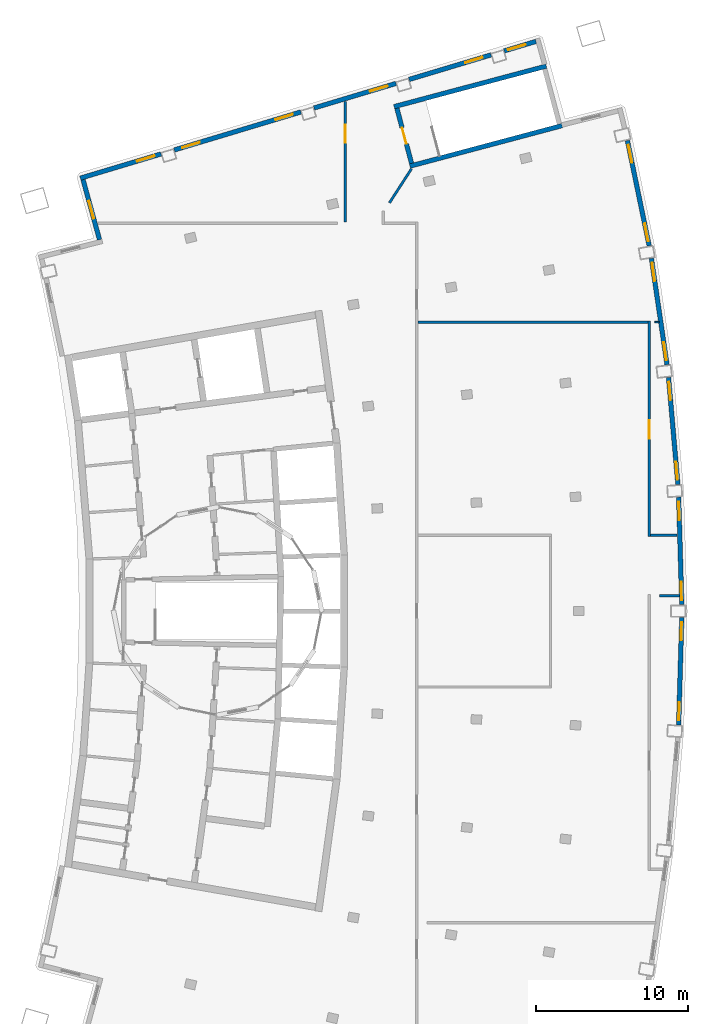
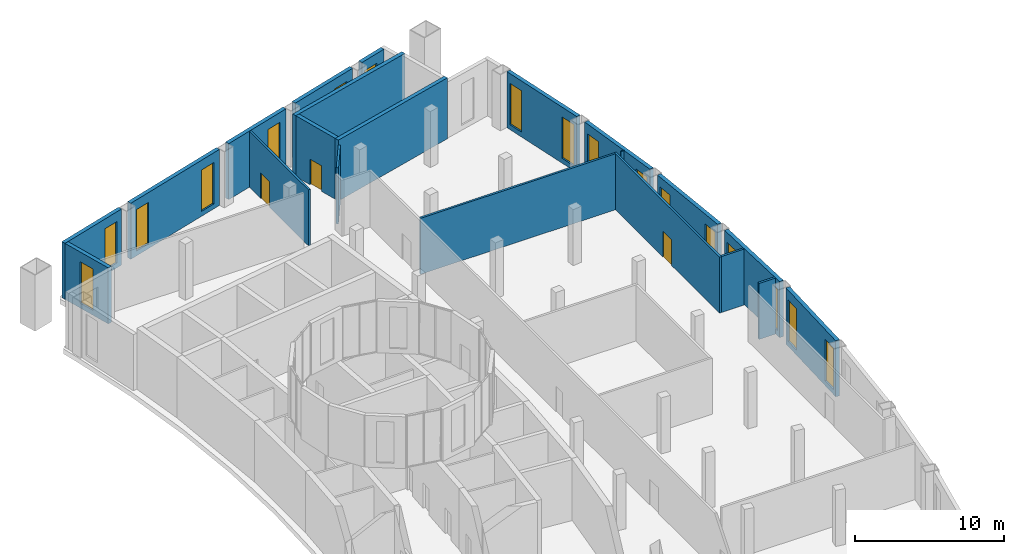
# One storey, part 7 of 9: 21 walls, 17 windows, 3 doors, 20 openings.
"""IFC4 building model written with IfcOpenShell, lengths in metres."""

from ifc_helpers import new_model, si_unit, direction, frame, frame_2d, origin, place, context, subcontext, project, spatial, rectangle, extrude, material, layer, layer_set, type_object, element, fill, save


model = new_model("IFC4")

# Units and contexts
model_context = context("Model", 3, precision=1e-05, world=origin(), true_north=direction((0.0, 1.0)))
body_context = subcontext(model_context, "Body", "Model", "MODEL_VIEW")
ifc_project = project(units=[si_unit("LENGTHUNIT", "METRE"), si_unit("AREAUNIT", "SQUARE_METRE"), si_unit("VOLUMEUNIT", "CUBIC_METRE"), si_unit("PLANEANGLEUNIT", "RADIAN"), si_unit("MASSUNIT", "GRAM", prefix="KILO")], contexts=[model_context])

# Site, building, storey
site_placement = place(None, origin())
site = spatial("IfcSite", under=ifc_project, at=site_placement, CompositionType="ELEMENT")
building_placement = place(site_placement, origin())
building = spatial("IfcBuilding", under=site, at=building_placement, Name="Alderwake Tower", CompositionType="ELEMENT")
storey_placement = place(building_placement, frame((0.0, 0.0, 310.0)))
storey = spatial("IfcBuildingStorey", under=building, at=storey_placement, Name="L75", CompositionType="ELEMENT", Elevation=310.0)

# Walls
ifc_material_1 = material(Name="Concrete C70/85", Category="concrete")
ifc_layer_1 = layer(ifc_material_1, 0.300048828125)
ifc_layer_set_1 = layer_set([ifc_layer_1], Name="Core wall stair enclosure 300 C70-85")
wall_type_1 = type_object("IfcWallType", Name="Core wall stair enclosure 300 C70-85", PredefinedType="SHEAR", material=ifc_layer_set_1)
for number, where, z_axis, x_axis, name in (
    (1, (36.71142578125, 94.182373046875, 0.0), (0.0, 0.0, 1.0), (0.966309214305, 0.257383958996, 0.0), "Core wall CW.082"),
    (2, (37.75390625, 90.268798828125, 0.0), (0.0, 0.0, 1.0), (0.966309214305, 0.257383958996, 0.0), "Core wall CW.084"),
):
    element("IfcWall", number, at=place(storey_placement, frame(where, z_axis=z_axis, x_axis=x_axis)), inside=storey, type_object=wall_type_1, Name=name, PredefinedType="SHEAR", context=body_context, shape_type="SweptSolid", body=[
        extrude(rectangle(XDim=10.360107421875, YDim=0.300048828125, at=frame_2d((5.18017578125, 0.0))), origin(), (0.0, 0.0, 1.0), 5.0),
    ])

# Wall, opening, door
wall_1_placement = place(storey_placement, frame((37.8603515625, 90.452392578125, 0.0), z_axis=(0.0, 0.0, 1.0), x_axis=(-0.257411420208, 0.966301899381, 0.0)))
wall_1 = element("IfcWall", 3, at=wall_1_placement, inside=storey, type_object=wall_type_1, Name="Core wall CW.083", PredefinedType="SHEAR", context=body_context, shape_type="SweptSolid", body=[
    extrude(rectangle(XDim=3.750244140625, YDim=0.300048828125, at=frame_2d((1.875, 0.0))), origin(), (0.0, 0.0, 1.0), 5.0),
])
opening_1_placement = place(wall_1_placement, frame((1.324951171875, 0.0, 0.0)))
opening_1 = element("IfcOpeningElement", 4, at=opening_1_placement, cuts=wall_1, Name="Opening C062", PredefinedType="OPENING", context=body_context, shape_type="SweptSolid", body=[
    extrude(rectangle(XDim=1.10009765625, YDim=2.10009765625, at=frame_2d((0.550048828125, 1.050048828125))), frame((0.0, 0.159912109375, 0.0), z_axis=(0.0, -1.0, 0.0), x_axis=(1.0, 0.0, 0.0)), (0.0, 0.0, 1.0), 0.320068359375),
])
ifc_material_2 = material(Name="Steel-framed fire door leaf", Category="steel")
door_type_1 = type_object("IfcDoorType", Name="Core stair door 1100 fire-rated", OperationType="SINGLE_SWING_LEFT", PredefinedType="DOOR", material=ifc_material_2)
door_1_placement = place(opening_1_placement, origin())
door_1 = element("IfcDoor", 5, at=door_1_placement, inside=storey, type_object=door_type_1, Name="Stair door", OperationType="SINGLE_SWING_RIGHT", OverallHeight=2.10009765625, OverallWidth=1.10009765625, PredefinedType="DOOR", context=body_context, shape_type="SweptSolid", body=[
    extrude(rectangle(XDim=1.10009765625, YDim=2.10009765625, at=frame_2d((0.550048828125, 1.050048828125))), frame((0.0, 0.02490234375, 0.0), z_axis=(0.0, -1.0, 0.0), x_axis=(1.0, 0.0, 0.0)), (0.0, 0.0, 1.0), 0.050048828125),
])
fill(opening_1, door_1)

ifc_material_3 = material(Name="Gypsum board on metal studs, rated")
ifc_layer_2 = layer(ifc_material_3, 0.159912109375)
ifc_layer_set_2 = layer_set([ifc_layer_2], Name="Corridor wall 160")
wall_type_2 = type_object("IfcWallType", Name="Corridor wall 160", PredefinedType="PARTITIONING", material=ifc_layer_set_2)
wall_2_placement = place(storey_placement, frame((33.5009765625, 94.533935546875, 0.0), z_axis=(0.0, 0.0, 1.0), x_axis=(0.0, -1.0, 0.0)))
wall_2 = element("IfcWall", 6, at=wall_2_placement, inside=storey, type_object=wall_type_2, Name="WL/L75/W03", PredefinedType="PARTITIONING", context=body_context, shape_type="SweptSolid", body=[
    extrude(rectangle(XDim=7.954833984375, YDim=0.159912109375, at=frame_2d((3.9775390625, 0.0))), origin(), (0.0, 0.0, 1.0), 4.60009765625),
])
opening_2_placement = place(wall_2_placement, frame((1.530029296875, 0.0, 0.0)))
opening_2 = element("IfcOpeningElement", 7, at=opening_2_placement, cuts=wall_2, Name="Opening L75-02", PredefinedType="OPENING", context=body_context, shape_type="SweptSolid", body=[
    extrude(rectangle(XDim=1.199951171875, YDim=2.10009765625, at=frame_2d((0.60009765625, 1.050048828125))), frame((0.0, 0.08984375, 0.0), z_axis=(0.0, -1.0, 0.0), x_axis=(1.0, 0.0, 0.0)), (0.0, 0.0, 1.0), 0.179931640625),
])
ifc_material_4 = material(Name="Steel door leaf in steel frame", Category="steel")
door_type_2 = type_object("IfcDoorType", Name="Plant room door 1200 steel", OperationType="SINGLE_SWING_LEFT", PredefinedType="DOOR", material=ifc_material_4)
door_2_placement = place(opening_2_placement, origin())
door_2 = element("IfcDoor", 8, at=door_2_placement, inside=storey, type_object=door_type_2, Name="DR/L75/02", OperationType="SINGLE_SWING_LEFT", OverallHeight=2.10009765625, OverallWidth=1.199951171875, PredefinedType="DOOR", context=body_context, shape_type="SweptSolid", body=[
    extrude(rectangle(XDim=1.199951171875, YDim=2.10009765625, at=frame_2d((0.60009765625, 1.050048828125))), frame((0.0, 0.02490234375, 0.0), z_axis=(0.0, -1.0, 0.0), x_axis=(1.0, 0.0, 0.0)), (0.0, 0.0, 1.0), 0.050048828125),
])
fill(opening_2, door_2)

# Walls
wall_3_placement = place(storey_placement, frame((36.406005859375, 87.85546875, 0.0), z_axis=(0.0, 0.0, 1.0), x_axis=(0.543072584568, 0.839685755441, 0.0)))
element("IfcWall", 9, at=wall_3_placement, inside=storey, type_object=wall_type_2, Name="WL/L75/W05", PredefinedType="PARTITIONING", context=body_context, shape_type="SweptSolid", body=[
    extrude(rectangle(XDim=2.66259765625, YDim=0.159912109375, at=frame_2d((1.331298828125, 0.0))), origin(), (0.0, 0.0, 1.0), 4.60009765625),
])
wall_4_placement = place(storey_placement, frame((54.178955078125, 62.0009765625, 0.0), z_axis=(0.0, 0.0, 1.0), x_axis=(1.0, 0.0, 0.0)))
element("IfcWall", 10, at=wall_4_placement, inside=storey, type_object=wall_type_2, Name="WL/L75/W16", PredefinedType="PARTITIONING", context=body_context, shape_type="SweptSolid", body=[
    extrude(rectangle(XDim=1.304931640625, YDim=0.159912109375, at=frame_2d((0.65234375, 0.0))), origin(), (0.0, 0.0, 1.0), 4.60009765625),
])

# Wall, opening, door
wall_5_placement = place(storey_placement, frame((53.4990234375, 65.919921875, 0.0), z_axis=(0.0, 0.0, 1.0), x_axis=(0.0, 1.0, 0.0)))
wall_5 = element("IfcWall", 11, at=wall_5_placement, inside=storey, type_object=wall_type_2, Name="WL/L75/W17", PredefinedType="PARTITIONING", context=body_context, shape_type="SweptSolid", body=[
    extrude(rectangle(XDim=14.1611328125, YDim=0.159912109375, at=frame_2d((7.08056640625, 0.0))), origin(), (0.0, 0.0, 1.0), 4.60009765625),
])
opening_3_placement = place(wall_5_placement, frame((6.429931640625, 0.0, 0.0)))
opening_3 = element("IfcOpeningElement", 12, at=opening_3_placement, cuts=wall_5, Name="Opening L75-06", PredefinedType="OPENING", context=body_context, shape_type="SweptSolid", body=[
    extrude(rectangle(XDim=1.199951171875, YDim=2.10009765625, at=frame_2d((0.60009765625, 1.050048828125))), frame((0.0, 0.08984375, 0.0), z_axis=(0.0, -1.0, 0.0), x_axis=(1.0, 0.0, 0.0)), (0.0, 0.0, 1.0), 0.179931640625),
])
door_3_placement = place(opening_3_placement, origin())
door_3 = element("IfcDoor", 13, at=door_3_placement, inside=storey, type_object=door_type_2, Name="DR/L75/06", OperationType="SINGLE_SWING_LEFT", OverallHeight=2.10009765625, OverallWidth=1.199951171875, PredefinedType="DOOR", context=body_context, shape_type="SweptSolid", body=[
    extrude(rectangle(XDim=1.199951171875, YDim=2.10009765625, at=frame_2d((0.60009765625, 1.050048828125))), frame((0.0, 0.02490234375, 0.0), z_axis=(0.0, -1.0, 0.0), x_axis=(1.0, 0.0, 0.0)), (0.0, 0.0, 1.0), 0.050048828125),
])
fill(opening_3, door_3)

# Walls
wall_6_placement = place(storey_placement, frame((53.4189453125, 80.0009765625, 0.0), z_axis=(0.0, 0.0, 1.0), x_axis=(-1.0, 0.0, 0.0)))
element("IfcWall", 14, at=wall_6_placement, inside=storey, type_object=wall_type_2, Name="WL/L75/W18", PredefinedType="PARTITIONING", context=body_context, shape_type="SweptSolid", body=[
    extrude(rectangle(XDim=15.139892578125, YDim=0.159912109375, at=frame_2d((7.56982421875, 0.0))), origin(), (0.0, 0.0, 1.0), 4.60009765625),
])
wall_7_placement = place(storey_placement, frame((55.323974609375, 66.0, 0.0), z_axis=(0.0, 0.0, 1.0), x_axis=(-1.0, 0.0, 0.0)))
element("IfcWall", 15, at=wall_7_placement, inside=storey, type_object=wall_type_2, Name="WL/L75/W21", PredefinedType="PARTITIONING", context=body_context, shape_type="SweptSolid", body=[
    extrude(rectangle(XDim=1.744873046875, YDim=0.159912109375, at=frame_2d((0.87255859375, 0.0))), origin(), (0.0, 0.0, 1.0), 4.60009765625),
])

# Wall, openings, windows
ifc_material_5 = material(Name="Bronze metal cladding on lightweight framing")
ifc_layer_3 = layer(ifc_material_5, 0.300048828125)
ifc_layer_set_3 = layer_set([ifc_layer_3], Name="External wall EW3 plant enclosure")
wall_type_3 = type_object("IfcWallType", Name="External wall EW3 plant enclosure", PredefinedType="SOLIDWALL", material=ifc_layer_set_3)
wall_8_placement = place(storey_placement, frame((55.431640625, 53.512939453125, 0.0), z_axis=(0.0, 0.0, 1.0), x_axis=(0.029150386351, 0.999575037191, 0.0)))
wall_8 = element("IfcWall", 16, at=wall_8_placement, inside=storey, type_object=wall_type_3, Name="External wall 29", PredefinedType="SOLIDWALL", context=body_context, shape_type="SweptSolid", body=[
    extrude(rectangle(XDim=7.068603515625, YDim=0.300048828125, at=frame_2d((3.5341796875, 0.0))), origin(), (0.0, 0.0, 1.0), 4.60009765625),
])
opening_4_placement = place(wall_8_placement, frame((0.3017578125, 0.0, 0.39990234375)))
opening_4 = element("IfcOpeningElement", 17, at=opening_4_placement, cuts=wall_8, Name="Opening LV2", PredefinedType="OPENING", context=body_context, shape_type="SweptSolid", body=[
    extrude(rectangle(XDim=1.199951171875, YDim=3.39990234375, at=frame_2d((0.60009765625, 1.699951171875))), frame((0.0, 0.159912109375, 0.0), z_axis=(0.0, -1.0, 0.0), x_axis=(1.0, 0.0, 0.0)), (0.0, 0.0, 1.0), 0.320068359375),
])
opening_5_placement = place(wall_8_placement, frame((5.566650390625, 0.0, 0.39990234375)))
opening_5 = element("IfcOpeningElement", 18, at=opening_5_placement, cuts=wall_8, Name="Opening LV2", PredefinedType="OPENING", context=body_context, shape_type="SweptSolid", body=[
    extrude(rectangle(XDim=1.199951171875, YDim=3.39990234375, at=frame_2d((0.60009765625, 1.699951171875))), frame((0.0, 0.159912109375, 0.0), z_axis=(0.0, -1.0, 0.0), x_axis=(1.0, 0.0, 0.0)), (0.0, 0.0, 1.0), 0.320068359375),
])
ifc_material_6 = material(Name="Bronze anodised aluminium louvre", Category="aluminium")
window_type = type_object("IfcWindowType", Name="Louvre LV2 crown drum", PartitioningType="SINGLE_PANEL", PredefinedType="USERDEFINED", material=ifc_material_6)
window_1_placement = place(opening_4_placement, origin())
window_1 = element("IfcWindow", 19, at=window_1_placement, inside=storey, type_object=window_type, Name="Louvre LV2 crown drum", ObjectType="LOUVRE", OverallHeight=3.39990234375, OverallWidth=1.199951171875, PartitioningType="SINGLE_PANEL", PredefinedType="USERDEFINED", context=body_context, shape_type="SweptSolid", body=[
    extrude(rectangle(XDim=1.199951171875, YDim=3.39990234375, at=frame_2d((0.60009765625, 1.699951171875))), frame((0.0, 0.030029296875, 0.0), z_axis=(0.0, -1.0, 0.0), x_axis=(1.0, 0.0, 0.0)), (0.0, 0.0, 1.0), 0.06005859375),
])
fill(opening_4, window_1)
window_2_placement = place(opening_5_placement, origin())
window_2 = element("IfcWindow", 20, at=window_2_placement, inside=storey, type_object=window_type, Name="Louvre LV2 crown drum", ObjectType="LOUVRE", OverallHeight=3.39990234375, OverallWidth=1.199951171875, PartitioningType="SINGLE_PANEL", PredefinedType="USERDEFINED", context=body_context, shape_type="SweptSolid", body=[
    extrude(rectangle(XDim=1.199951171875, YDim=3.39990234375, at=frame_2d((0.60009765625, 1.699951171875))), frame((0.0, 0.030029296875, 0.0), z_axis=(0.0, -1.0, 0.0), x_axis=(1.0, 0.0, 0.0)), (0.0, 0.0, 1.0), 0.06005859375),
])
fill(opening_5, window_2)

wall_9_placement = place(storey_placement, frame((55.6376953125, 61.42138671875, 0.0), z_axis=(0.0, 0.0, 1.0), x_axis=(-0.029150386351, 0.999575037191, 0.0)))
wall_9 = element("IfcWall", 21, at=wall_9_placement, inside=storey, type_object=wall_type_3, Name="External wall 31", PredefinedType="SOLIDWALL", context=body_context, shape_type="SweptSolid", body=[
    extrude(rectangle(XDim=7.068603515625, YDim=0.300048828125, at=frame_2d((3.5341796875, 0.0))), origin(), (0.0, 0.0, 1.0), 4.60009765625),
])
opening_6_placement = place(wall_9_placement, frame((0.3017578125, 0.0, 0.39990234375)))
opening_6 = element("IfcOpeningElement", 22, at=opening_6_placement, cuts=wall_9, Name="Opening LV2", PredefinedType="OPENING", context=body_context, shape_type="SweptSolid", body=[
    extrude(rectangle(XDim=1.199951171875, YDim=3.39990234375, at=frame_2d((0.60009765625, 1.699951171875))), frame((0.0, 0.159912109375, 0.0), z_axis=(0.0, -1.0, 0.0), x_axis=(1.0, 0.0, 0.0)), (0.0, 0.0, 1.0), 0.320068359375),
])
opening_7_placement = place(wall_9_placement, frame((5.566650390625, 0.0, 0.39990234375)))
opening_7 = element("IfcOpeningElement", 23, at=opening_7_placement, cuts=wall_9, Name="Opening LV2", PredefinedType="OPENING", context=body_context, shape_type="SweptSolid", body=[
    extrude(rectangle(XDim=1.199951171875, YDim=3.39990234375, at=frame_2d((0.60009765625, 1.699951171875))), frame((0.0, 0.159912109375, 0.0), z_axis=(0.0, -1.0, 0.0), x_axis=(1.0, 0.0, 0.0)), (0.0, 0.0, 1.0), 0.320068359375),
])
window_3_placement = place(opening_6_placement, origin())
window_3 = element("IfcWindow", 24, at=window_3_placement, inside=storey, type_object=window_type, Name="Louvre LV2 crown drum", ObjectType="LOUVRE", OverallHeight=3.39990234375, OverallWidth=1.199951171875, PartitioningType="SINGLE_PANEL", PredefinedType="USERDEFINED", context=body_context, shape_type="SweptSolid", body=[
    extrude(rectangle(XDim=1.199951171875, YDim=3.39990234375, at=frame_2d((0.60009765625, 1.699951171875))), frame((0.0, 0.030029296875, 0.0), z_axis=(0.0, -1.0, 0.0), x_axis=(1.0, 0.0, 0.0)), (0.0, 0.0, 1.0), 0.06005859375),
])
fill(opening_6, window_3)
window_4_placement = place(opening_7_placement, origin())
window_4 = element("IfcWindow", 25, at=window_4_placement, inside=storey, type_object=window_type, Name="Louvre LV2 crown drum", ObjectType="LOUVRE", OverallHeight=3.39990234375, OverallWidth=1.199951171875, PartitioningType="SINGLE_PANEL", PredefinedType="USERDEFINED", context=body_context, shape_type="SweptSolid", body=[
    extrude(rectangle(XDim=1.199951171875, YDim=3.39990234375, at=frame_2d((0.60009765625, 1.699951171875))), frame((0.0, 0.030029296875, 0.0), z_axis=(0.0, -1.0, 0.0), x_axis=(1.0, 0.0, 0.0)), (0.0, 0.0, 1.0), 0.06005859375),
])
fill(opening_7, window_4)

wall_10_placement = place(storey_placement, frame((55.38232421875, 69.32861328125, 0.0), z_axis=(0.0, 0.0, 1.0), x_axis=(-0.087386754423, 0.996174460198, 0.0)))
wall_10 = element("IfcWall", 26, at=wall_10_placement, inside=storey, type_object=wall_type_3, Name="External wall 33", PredefinedType="SOLIDWALL", context=body_context, shape_type="SweptSolid", body=[
    extrude(rectangle(XDim=7.068359375, YDim=0.300048828125, at=frame_2d((3.5341796875, 0.0))), origin(), (0.0, 0.0, 1.0), 4.60009765625),
])
opening_8_placement = place(wall_10_placement, frame((0.3017578125, 0.0, 0.39990234375)))
opening_8 = element("IfcOpeningElement", 27, at=opening_8_placement, cuts=wall_10, Name="Opening LV2", PredefinedType="OPENING", context=body_context, shape_type="SweptSolid", body=[
    extrude(rectangle(XDim=1.199951171875, YDim=3.39990234375, at=frame_2d((0.60009765625, 1.699951171875))), frame((0.0, 0.159912109375, 0.0), z_axis=(0.0, -1.0, 0.0), x_axis=(1.0, 0.0, 0.0)), (0.0, 0.0, 1.0), 0.320068359375),
])
opening_9_placement = place(wall_10_placement, frame((5.566650390625, 0.0, 0.39990234375)))
opening_9 = element("IfcOpeningElement", 28, at=opening_9_placement, cuts=wall_10, Name="Opening LV2", PredefinedType="OPENING", context=body_context, shape_type="SweptSolid", body=[
    extrude(rectangle(XDim=1.199951171875, YDim=3.39990234375, at=frame_2d((0.60009765625, 1.699951171875))), frame((0.0, 0.159912109375, 0.0), z_axis=(0.0, -1.0, 0.0), x_axis=(1.0, 0.0, 0.0)), (0.0, 0.0, 1.0), 0.320068359375),
])
window_5_placement = place(opening_8_placement, origin())
window_5 = element("IfcWindow", 29, at=window_5_placement, inside=storey, type_object=window_type, Name="Louvre LV2 crown drum", ObjectType="LOUVRE", OverallHeight=3.39990234375, OverallWidth=1.199951171875, PartitioningType="SINGLE_PANEL", PredefinedType="USERDEFINED", context=body_context, shape_type="SweptSolid", body=[
    extrude(rectangle(XDim=1.199951171875, YDim=3.39990234375, at=frame_2d((0.60009765625, 1.699951171875))), frame((0.0, 0.030029296875, 0.0), z_axis=(0.0, -1.0, 0.0), x_axis=(1.0, 0.0, 0.0)), (0.0, 0.0, 1.0), 0.06005859375),
])
fill(opening_8, window_5)
window_6_placement = place(opening_9_placement, origin())
window_6 = element("IfcWindow", 30, at=window_6_placement, inside=storey, type_object=window_type, Name="Louvre LV2 crown drum", ObjectType="LOUVRE", OverallHeight=3.39990234375, OverallWidth=1.199951171875, PartitioningType="SINGLE_PANEL", PredefinedType="USERDEFINED", context=body_context, shape_type="SweptSolid", body=[
    extrude(rectangle(XDim=1.199951171875, YDim=3.39990234375, at=frame_2d((0.60009765625, 1.699951171875))), frame((0.0, 0.030029296875, 0.0), z_axis=(0.0, -1.0, 0.0), x_axis=(1.0, 0.0, 0.0)), (0.0, 0.0, 1.0), 0.06005859375),
])
fill(opening_9, window_6)

wall_11_placement = place(storey_placement, frame((54.66650390625, 77.207275390625, 0.0), z_axis=(0.0, 0.0, 1.0), x_axis=(-0.145313007309, 0.989385733628, 0.0)))
wall_11 = element("IfcWall", 31, at=wall_11_placement, inside=storey, type_object=wall_type_3, Name="External wall 35", PredefinedType="SOLIDWALL", context=body_context, shape_type="SweptSolid", body=[
    extrude(rectangle(XDim=7.068115234375, YDim=0.300048828125, at=frame_2d((3.5341796875, 0.0))), origin(), (0.0, 0.0, 1.0), 4.60009765625),
])
opening_10_placement = place(wall_11_placement, frame((0.3017578125, 0.0, 0.39990234375)))
opening_10 = element("IfcOpeningElement", 32, at=opening_10_placement, cuts=wall_11, Name="Opening LV2", PredefinedType="OPENING", context=body_context, shape_type="SweptSolid", body=[
    extrude(rectangle(XDim=1.199951171875, YDim=3.39990234375, at=frame_2d((0.60009765625, 1.699951171875))), frame((0.0, 0.159912109375, 0.0), z_axis=(0.0, -1.0, 0.0), x_axis=(1.0, 0.0, 0.0)), (0.0, 0.0, 1.0), 0.320068359375),
])
opening_11_placement = place(wall_11_placement, frame((5.56640625, 0.0, 0.39990234375)))
opening_11 = element("IfcOpeningElement", 33, at=opening_11_placement, cuts=wall_11, Name="Opening LV2", PredefinedType="OPENING", context=body_context, shape_type="SweptSolid", body=[
    extrude(rectangle(XDim=1.199951171875, YDim=3.39990234375, at=frame_2d((0.60009765625, 1.699951171875))), frame((0.0, 0.159912109375, 0.0), z_axis=(0.0, -1.0, 0.0), x_axis=(1.0, 0.0, 0.0)), (0.0, 0.0, 1.0), 0.320068359375),
])
window_7_placement = place(opening_10_placement, origin())
window_7 = element("IfcWindow", 34, at=window_7_placement, inside=storey, type_object=window_type, Name="Louvre LV2 crown drum", ObjectType="LOUVRE", OverallHeight=3.39990234375, OverallWidth=1.199951171875, PartitioningType="SINGLE_PANEL", PredefinedType="USERDEFINED", context=body_context, shape_type="SweptSolid", body=[
    extrude(rectangle(XDim=1.199951171875, YDim=3.39990234375, at=frame_2d((0.60009765625, 1.699951171875))), frame((0.0, 0.030029296875, 0.0), z_axis=(0.0, -1.0, 0.0), x_axis=(1.0, 0.0, 0.0)), (0.0, 0.0, 1.0), 0.06005859375),
])
fill(opening_10, window_7)
window_8_placement = place(opening_11_placement, origin())
window_8 = element("IfcWindow", 35, at=window_8_placement, inside=storey, type_object=window_type, Name="Louvre LV2 crown drum", ObjectType="LOUVRE", OverallHeight=3.39990234375, OverallWidth=1.199951171875, PartitioningType="SINGLE_PANEL", PredefinedType="USERDEFINED", context=body_context, shape_type="SweptSolid", body=[
    extrude(rectangle(XDim=1.199951171875, YDim=3.39990234375, at=frame_2d((0.60009765625, 1.699951171875))), frame((0.0, 0.030029296875, 0.0), z_axis=(0.0, -1.0, 0.0), x_axis=(1.0, 0.0, 0.0)), (0.0, 0.0, 1.0), 0.06005859375),
])
fill(opening_11, window_8)

wall_12_placement = place(storey_placement, frame((53.49267578125, 85.03076171875, 0.0), z_axis=(0.0, 0.0, 1.0), x_axis=(-0.202747225934, 0.979231107745, 0.0)))
wall_12 = element("IfcWall", 36, at=wall_12_placement, inside=storey, type_object=wall_type_3, Name="External wall 37", PredefinedType="SOLIDWALL", context=body_context, shape_type="SweptSolid", body=[
    extrude(rectangle(XDim=7.068359375, YDim=0.300048828125, at=frame_2d((3.5341796875, 0.0))), origin(), (0.0, 0.0, 1.0), 4.60009765625),
])
opening_12_placement = place(wall_12_placement, frame((0.3017578125, 0.0, 0.39990234375)))
opening_12 = element("IfcOpeningElement", 37, at=opening_12_placement, cuts=wall_12, Name="Opening LV2", PredefinedType="OPENING", context=body_context, shape_type="SweptSolid", body=[
    extrude(rectangle(XDim=1.199951171875, YDim=3.39990234375, at=frame_2d((0.60009765625, 1.699951171875))), frame((0.0, 0.159912109375, 0.0), z_axis=(0.0, -1.0, 0.0), x_axis=(1.0, 0.0, 0.0)), (0.0, 0.0, 1.0), 0.320068359375),
])
opening_13_placement = place(wall_12_placement, frame((5.566650390625, 0.0, 0.39990234375)))
opening_13 = element("IfcOpeningElement", 38, at=opening_13_placement, cuts=wall_12, Name="Opening LV2", PredefinedType="OPENING", context=body_context, shape_type="SweptSolid", body=[
    extrude(rectangle(XDim=1.199951171875, YDim=3.39990234375, at=frame_2d((0.60009765625, 1.699951171875))), frame((0.0, 0.159912109375, 0.0), z_axis=(0.0, -1.0, 0.0), x_axis=(1.0, 0.0, 0.0)), (0.0, 0.0, 1.0), 0.320068359375),
])
window_9_placement = place(opening_12_placement, origin())
window_9 = element("IfcWindow", 39, at=window_9_placement, inside=storey, type_object=window_type, Name="Louvre LV2 crown drum", ObjectType="LOUVRE", OverallHeight=3.39990234375, OverallWidth=1.199951171875, PartitioningType="SINGLE_PANEL", PredefinedType="USERDEFINED", context=body_context, shape_type="SweptSolid", body=[
    extrude(rectangle(XDim=1.199951171875, YDim=3.39990234375, at=frame_2d((0.60009765625, 1.699951171875))), frame((0.0, 0.030029296875, 0.0), z_axis=(0.0, -1.0, 0.0), x_axis=(1.0, 0.0, 0.0)), (0.0, 0.0, 1.0), 0.06005859375),
])
fill(opening_12, window_9)
window_10_placement = place(opening_13_placement, origin())
window_10 = element("IfcWindow", 40, at=window_10_placement, inside=storey, type_object=window_type, Name="Louvre LV2 crown drum", ObjectType="LOUVRE", OverallHeight=3.39990234375, OverallWidth=1.199951171875, PartitioningType="SINGLE_PANEL", PredefinedType="USERDEFINED", context=body_context, shape_type="SweptSolid", body=[
    extrude(rectangle(XDim=1.199951171875, YDim=3.39990234375, at=frame_2d((0.60009765625, 1.699951171875))), frame((0.0, 0.030029296875, 0.0), z_axis=(0.0, -1.0, 0.0), x_axis=(1.0, 0.0, 0.0)), (0.0, 0.0, 1.0), 0.06005859375),
])
fill(opening_13, window_10)

# Wall, opening, window
wall_13_placement = place(storey_placement, frame((46.043701171875, 98.4765625, 0.0), z_axis=(0.0, 0.0, 1.0), x_axis=(-0.957743012987, -0.287625313689, 0.0)))
wall_13 = element("IfcWall", 41, at=wall_13_placement, inside=storey, type_object=wall_type_3, Name="External wall 45", PredefinedType="SOLIDWALL", context=body_context, shape_type="SweptSolid", body=[
    extrude(rectangle(XDim=2.1796875, YDim=0.300048828125, at=frame_2d((1.08984375, 0.0))), origin(), (0.0, 0.0, 1.0), 4.60009765625),
])
opening_14_placement = place(wall_13_placement, frame((0.7158203125, 0.0, 0.39990234375)))
opening_14 = element("IfcOpeningElement", 42, at=opening_14_placement, cuts=wall_13, Name="Opening LV2", PredefinedType="OPENING", context=body_context, shape_type="SweptSolid", body=[
    extrude(rectangle(XDim=1.199951171875, YDim=3.39990234375, at=frame_2d((0.60009765625, 1.699951171875))), frame((0.0, 0.159912109375, 0.0), z_axis=(0.0, -1.0, 0.0), x_axis=(1.0, 0.0, 0.0)), (0.0, 0.0, 1.0), 0.320068359375),
])
window_11_placement = place(opening_14_placement, origin())
window_11 = element("IfcWindow", 43, at=window_11_placement, inside=storey, type_object=window_type, Name="Louvre LV2 crown drum", ObjectType="LOUVRE", OverallHeight=3.39990234375, OverallWidth=1.199951171875, PartitioningType="SINGLE_PANEL", PredefinedType="USERDEFINED", context=body_context, shape_type="SweptSolid", body=[
    extrude(rectangle(XDim=1.199951171875, YDim=3.39990234375, at=frame_2d((0.60009765625, 1.699951171875))), frame((0.0, 0.030029296875, 0.0), z_axis=(0.0, -1.0, 0.0), x_axis=(1.0, 0.0, 0.0)), (0.0, 0.0, 1.0), 0.06005859375),
])
fill(opening_14, window_11)

wall_14_placement = place(storey_placement, frame((43.0908203125, 97.590087890625, 0.0), z_axis=(0.0, 0.0, 1.0), x_axis=(-0.957755841517, -0.287582593423, 0.0)))
wall_14 = element("IfcWall", 44, at=wall_14_placement, inside=storey, type_object=wall_type_3, Name="External wall 47", PredefinedType="SOLIDWALL", context=body_context, shape_type="SweptSolid", body=[
    extrude(rectangle(XDim=5.630126953125, YDim=0.300048828125, at=frame_2d((2.81494140625, 0.0))), origin(), (0.0, 0.0, 1.0), 4.60009765625),
])
opening_15_placement = place(wall_14_placement, frame((0.581787109375, 0.0, 0.39990234375)))
opening_15 = element("IfcOpeningElement", 45, at=opening_15_placement, cuts=wall_14, Name="Opening LV2", PredefinedType="OPENING", context=body_context, shape_type="SweptSolid", body=[
    extrude(rectangle(XDim=1.199951171875, YDim=3.39990234375, at=frame_2d((0.60009765625, 1.699951171875))), frame((0.0, 0.159912109375, 0.0), z_axis=(0.0, -1.0, 0.0), x_axis=(1.0, 0.0, 0.0)), (0.0, 0.0, 1.0), 0.320068359375),
])
window_12_placement = place(opening_15_placement, origin())
window_12 = element("IfcWindow", 46, at=window_12_placement, inside=storey, type_object=window_type, Name="Louvre LV2 crown drum", ObjectType="LOUVRE", OverallHeight=3.39990234375, OverallWidth=1.199951171875, PartitioningType="SINGLE_PANEL", PredefinedType="USERDEFINED", context=body_context, shape_type="SweptSolid", body=[
    extrude(rectangle(XDim=1.199951171875, YDim=3.39990234375, at=frame_2d((0.60009765625, 1.699951171875))), frame((0.0, 0.030029296875, 0.0), z_axis=(0.0, -1.0, 0.0), x_axis=(1.0, 0.0, 0.0)), (0.0, 0.0, 1.0), 0.06005859375),
])
fill(opening_15, window_12)

wall_15_placement = place(storey_placement, frame((36.833251953125, 95.711181640625, 0.0), z_axis=(0.0, 0.0, 1.0), x_axis=(-0.957764198898, -0.287554758802, 0.0)))
wall_15 = element("IfcWall", 47, at=wall_15_placement, inside=storey, type_object=wall_type_3, Name="External wall 49", PredefinedType="SOLIDWALL", context=body_context, shape_type="SweptSolid", body=[
    extrude(rectangle(XDim=5.6298828125, YDim=0.300048828125, at=frame_2d((2.81494140625, 0.0))), origin(), (0.0, 0.0, 1.0), 4.60009765625),
])
opening_16_placement = place(wall_15_placement, frame((0.58154296875, 0.0, 0.39990234375)))
opening_16 = element("IfcOpeningElement", 48, at=opening_16_placement, cuts=wall_15, Name="Opening LV2", PredefinedType="OPENING", context=body_context, shape_type="SweptSolid", body=[
    extrude(rectangle(XDim=1.199951171875, YDim=3.39990234375, at=frame_2d((0.60009765625, 1.699951171875))), frame((0.0, 0.159912109375, 0.0), z_axis=(0.0, -1.0, 0.0), x_axis=(1.0, 0.0, 0.0)), (0.0, 0.0, 1.0), 0.320068359375),
])
window_13_placement = place(opening_16_placement, origin())
window_13 = element("IfcWindow", 49, at=window_13_placement, inside=storey, type_object=window_type, Name="Louvre LV2 crown drum", ObjectType="LOUVRE", OverallHeight=3.39990234375, OverallWidth=1.199951171875, PartitioningType="SINGLE_PANEL", PredefinedType="USERDEFINED", context=body_context, shape_type="SweptSolid", body=[
    extrude(rectangle(XDim=1.199951171875, YDim=3.39990234375, at=frame_2d((0.60009765625, 1.699951171875))), frame((0.0, 0.030029296875, 0.0), z_axis=(0.0, -1.0, 0.0), x_axis=(1.0, 0.0, 0.0)), (0.0, 0.0, 1.0), 0.06005859375),
])
fill(opening_16, window_13)

# Wall, openings, windows
wall_16_placement = place(storey_placement, frame((30.57568359375, 93.83251953125, 0.0), z_axis=(0.0, 0.0, 1.0), x_axis=(-0.957762902908, -0.287559075345, 0.0)))
wall_16 = element("IfcWall", 50, at=wall_16_placement, inside=storey, type_object=wall_type_3, Name="External wall 51", PredefinedType="SOLIDWALL", context=body_context, shape_type="SweptSolid", body=[
    extrude(rectangle(XDim=8.696533203125, YDim=0.300048828125, at=frame_2d((4.34814453125, 0.0))), origin(), (0.0, 0.0, 1.0), 4.60009765625),
])
opening_17_placement = place(wall_16_placement, frame((0.548095703125, 0.0, 0.39990234375)))
opening_17 = element("IfcOpeningElement", 51, at=opening_17_placement, cuts=wall_16, Name="Opening LV2", PredefinedType="OPENING", context=body_context, shape_type="SweptSolid", body=[
    extrude(rectangle(XDim=1.199951171875, YDim=3.39990234375, at=frame_2d((0.60009765625, 1.699951171875))), frame((0.0, 0.159912109375, 0.0), z_axis=(0.0, -1.0, 0.0), x_axis=(1.0, 0.0, 0.0)), (0.0, 0.0, 1.0), 0.320068359375),
])
opening_18_placement = place(wall_16_placement, frame((6.9482421875, 0.0, 0.39990234375)))
opening_18 = element("IfcOpeningElement", 52, at=opening_18_placement, cuts=wall_16, Name="Opening LV2", PredefinedType="OPENING", context=body_context, shape_type="SweptSolid", body=[
    extrude(rectangle(XDim=1.199951171875, YDim=3.39990234375, at=frame_2d((0.60009765625, 1.699951171875))), frame((0.0, 0.159912109375, 0.0), z_axis=(0.0, -1.0, 0.0), x_axis=(1.0, 0.0, 0.0)), (0.0, 0.0, 1.0), 0.320068359375),
])
window_14_placement = place(opening_17_placement, origin())
window_14 = element("IfcWindow", 53, at=window_14_placement, inside=storey, type_object=window_type, Name="Louvre LV2 crown drum", ObjectType="LOUVRE", OverallHeight=3.39990234375, OverallWidth=1.199951171875, PartitioningType="SINGLE_PANEL", PredefinedType="USERDEFINED", context=body_context, shape_type="SweptSolid", body=[
    extrude(rectangle(XDim=1.199951171875, YDim=3.39990234375, at=frame_2d((0.60009765625, 1.699951171875))), frame((0.0, 0.030029296875, 0.0), z_axis=(0.0, -1.0, 0.0), x_axis=(1.0, 0.0, 0.0)), (0.0, 0.0, 1.0), 0.06005859375),
])
fill(opening_17, window_14)
window_15_placement = place(opening_18_placement, origin())
window_15 = element("IfcWindow", 54, at=window_15_placement, inside=storey, type_object=window_type, Name="Louvre LV2 crown drum", ObjectType="LOUVRE", OverallHeight=3.39990234375, OverallWidth=1.199951171875, PartitioningType="SINGLE_PANEL", PredefinedType="USERDEFINED", context=body_context, shape_type="SweptSolid", body=[
    extrude(rectangle(XDim=1.199951171875, YDim=3.39990234375, at=frame_2d((0.60009765625, 1.699951171875))), frame((0.0, 0.030029296875, 0.0), z_axis=(0.0, -1.0, 0.0), x_axis=(1.0, 0.0, 0.0)), (0.0, 0.0, 1.0), 0.06005859375),
])
fill(opening_18, window_15)

# Wall, opening, window
wall_17_placement = place(storey_placement, frame((21.380859375, 91.072021484375, 0.0), z_axis=(0.0, 0.0, 1.0), x_axis=(-0.957769358194, -0.287537574074, 0.0)))
wall_17 = element("IfcWall", 55, at=wall_17_placement, inside=storey, type_object=wall_type_3, Name="External wall 53", PredefinedType="SOLIDWALL", context=body_context, shape_type="SweptSolid", body=[
    extrude(rectangle(XDim=5.549560546875, YDim=0.300048828125, at=frame_2d((2.77490234375, 0.0))), origin(), (0.0, 0.0, 1.0), 4.60009765625),
])
opening_19_placement = place(wall_17_placement, frame((0.448486328125, 0.0, 0.39990234375)))
opening_19 = element("IfcOpeningElement", 56, at=opening_19_placement, cuts=wall_17, Name="Opening LV2", PredefinedType="OPENING", context=body_context, shape_type="SweptSolid", body=[
    extrude(rectangle(XDim=1.199951171875, YDim=3.39990234375, at=frame_2d((0.60009765625, 1.699951171875))), frame((0.0, 0.159912109375, 0.0), z_axis=(0.0, -1.0, 0.0), x_axis=(1.0, 0.0, 0.0)), (0.0, 0.0, 1.0), 0.320068359375),
])
window_16_placement = place(opening_19_placement, origin())
window_16 = element("IfcWindow", 57, at=window_16_placement, inside=storey, type_object=window_type, Name="Louvre LV2 crown drum", ObjectType="LOUVRE", OverallHeight=3.39990234375, OverallWidth=1.199951171875, PartitioningType="SINGLE_PANEL", PredefinedType="USERDEFINED", context=body_context, shape_type="SweptSolid", body=[
    extrude(rectangle(XDim=1.199951171875, YDim=3.39990234375, at=frame_2d((0.60009765625, 1.699951171875))), frame((0.0, 0.030029296875, 0.0), z_axis=(0.0, -1.0, 0.0), x_axis=(1.0, 0.0, 0.0)), (0.0, 0.0, 1.0), 0.06005859375),
])
fill(opening_19, window_16)

wall_18_placement = place(storey_placement, frame((16.248779296875, 89.374755859375, 0.0), z_axis=(0.0, 0.0, 1.0), x_axis=(0.264607053468, -0.964356317579, 0.0)))
wall_18 = element("IfcWall", 58, at=wall_18_placement, inside=storey, type_object=wall_type_3, Name="External wall 55", PredefinedType="SOLIDWALL", context=body_context, shape_type="SweptSolid", body=[
    extrude(rectangle(XDim=4.090087890625, YDim=0.300048828125, at=frame_2d((2.044921875, 0.0))), origin(), (0.0, 0.0, 1.0), 4.60009765625),
])
opening_20_placement = place(wall_18_placement, frame((1.445068359375, 0.0, 0.39990234375)))
opening_20 = element("IfcOpeningElement", 59, at=opening_20_placement, cuts=wall_18, Name="Opening LV2", PredefinedType="OPENING", context=body_context, shape_type="SweptSolid", body=[
    extrude(rectangle(XDim=1.199951171875, YDim=3.39990234375, at=frame_2d((0.60009765625, 1.699951171875))), frame((0.0, 0.159912109375, 0.0), z_axis=(0.0, -1.0, 0.0), x_axis=(1.0, 0.0, 0.0)), (0.0, 0.0, 1.0), 0.320068359375),
])
window_17_placement = place(opening_20_placement, origin())
window_17 = element("IfcWindow", 60, at=window_17_placement, inside=storey, type_object=window_type, Name="Louvre LV2 crown drum", ObjectType="LOUVRE", OverallHeight=3.39990234375, OverallWidth=1.199951171875, PartitioningType="SINGLE_PANEL", PredefinedType="USERDEFINED", context=body_context, shape_type="SweptSolid", body=[
    extrude(rectangle(XDim=1.199951171875, YDim=3.39990234375, at=frame_2d((0.60009765625, 1.699951171875))), frame((0.0, 0.030029296875, 0.0), z_axis=(0.0, -1.0, 0.0), x_axis=(1.0, 0.0, 0.0)), (0.0, 0.0, 1.0), 0.06005859375),
])
fill(opening_20, window_17)

# Wall
ifc_material_7 = material(Name="Gypsum board on metal studs")
ifc_layer_4 = layer(ifc_material_7, 0.10009765625)
ifc_layer_set_4 = layer_set([ifc_layer_4], Name="Unit partition 100")
wall_type_4 = type_object("IfcWallType", Name="Unit partition 100", PredefinedType="PARTITIONING", material=ifc_layer_set_4)
wall_19_placement = place(storey_placement, frame((53.868896484375, 80.0009765625, 0.0), z_axis=(0.0, 0.0, 1.0), x_axis=(1.0, 0.0, 0.0)))
element("IfcWall", 61, at=wall_19_placement, inside=storey, type_object=wall_type_4, Name="WL/L75/W22", PredefinedType="PARTITIONING", context=body_context, shape_type="SweptSolid", body=[
    extrude(rectangle(XDim=0.280029296875, YDim=0.10009765625, at=frame_2d((0.14013671875, 0.0))), origin(), (0.0, 0.0, 1.0), 4.60009765625),
])

save(model, "model.ifc")
